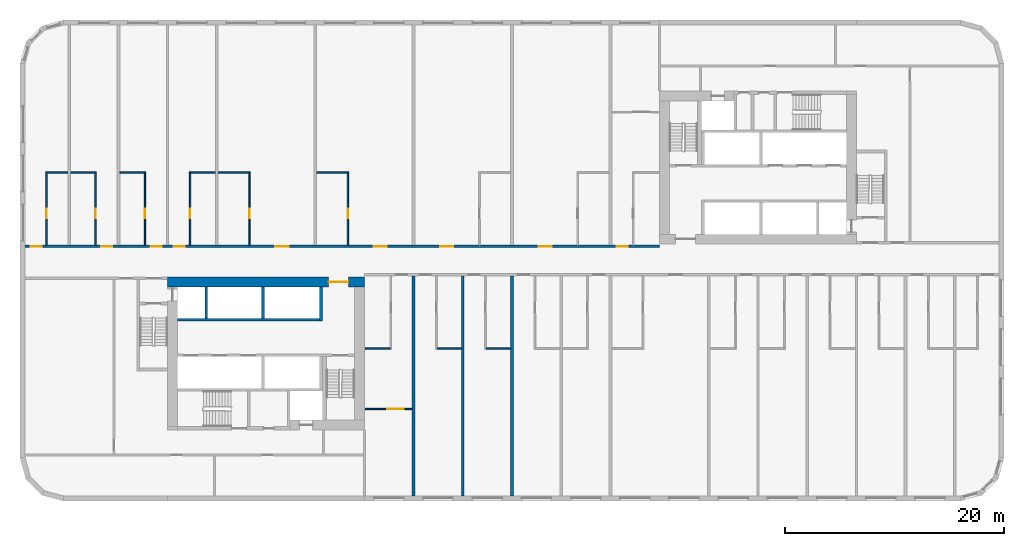
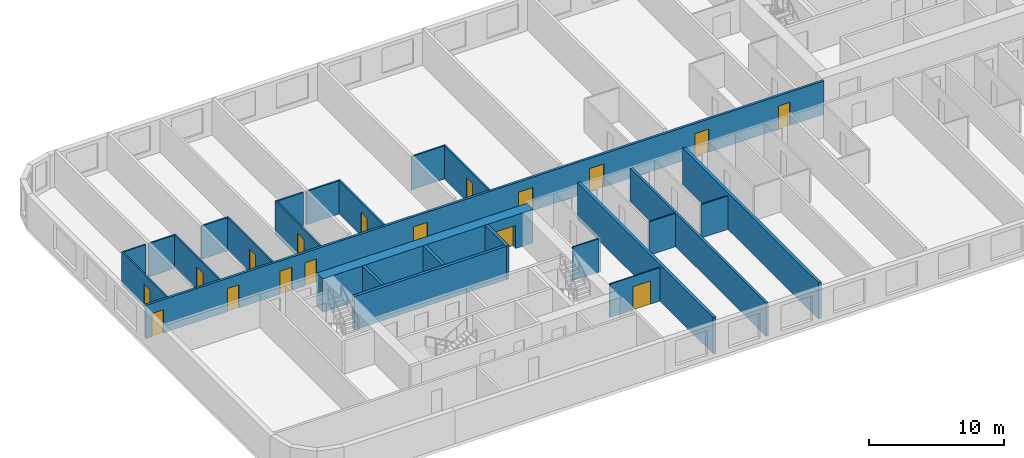
# One storey, part 3 of 12: 25 walls, 17 doors, 17 openings.
"""IFC4 building model written with IfcOpenShell, lengths in metres."""

from ifc_helpers import new_model, si_unit, direction, frame, frame_2d, origin, place, context, subcontext, project, spatial, rectangle, extrude, material, layer, layer_set, type_object, element, fill, save


model = new_model("IFC4")

# Units and contexts
model_context = context("Model", 3, precision=1e-05, world=origin(), true_north=direction((0.0, 1.0)))
body_context = subcontext(model_context, "Body", "Model", "MODEL_VIEW")
ifc_project = project(units=[si_unit("LENGTHUNIT", "METRE"), si_unit("AREAUNIT", "SQUARE_METRE"), si_unit("VOLUMEUNIT", "CUBIC_METRE"), si_unit("PLANEANGLEUNIT", "RADIAN"), si_unit("MASSUNIT", "GRAM", prefix="KILO")], contexts=[model_context])

# Site, building, storey
site_placement = place(None, origin())
site = spatial("IfcSite", under=ifc_project, at=site_placement, CompositionType="ELEMENT")
building_placement = place(site_placement, origin())
building = spatial("IfcBuilding", under=site, at=building_placement, Name="Kajstack Hotel Tower", CompositionType="ELEMENT")
storey_placement = place(building_placement, frame((0.0, 0.0, 86.39990234375)))
storey = spatial("IfcBuildingStorey", under=building, at=storey_placement, Name="L17", CompositionType="ELEMENT", Elevation=86.39990234375)

# Wall, opening, door
ifc_material_1 = material(Name="Concrete C60/75", Category="concrete")
ifc_layer_1 = layer(ifc_material_1, 0.89990234375)
ifc_layer_set_1 = layer_set([ifc_layer_1], Name="Core wall 900")
wall_type_1 = type_object("IfcWallType", Name="Core wall 900", PredefinedType="SHEAR", material=ifc_layer_set_1)
wall_1_placement = place(storey_placement, frame((-31.5, -1.949951171875, 0.0), z_axis=(0.0, 0.0, 1.0), x_axis=(1.0, 0.0, 0.0)))
wall_1 = element("IfcWall", 1, at=wall_1_placement, inside=storey, type_object=wall_type_1, Name="Core wall W RN", PredefinedType="SHEAR", context=body_context, shape_type="SweptSolid", body=[
    extrude(rectangle(XDim=18.0, YDim=0.89990234375, at=frame_2d((9.0, 0.0))), origin(), (0.0, 0.0, 1.0), 3.02001953125),
])
opening_1_placement = place(wall_1_placement, frame((14.72509765625, 0.0, 0.0)))
opening_1 = element("IfcOpeningElement", 2, at=opening_1_placement, cuts=wall_1, Name="Opening 17W06", PredefinedType="OPENING", context=body_context, shape_type="SweptSolid", body=[
    extrude(rectangle(XDim=1.800048828125, YDim=2.10009765625, at=frame_2d((0.89990234375, 1.050048828125))), frame((0.0, 0.4599609375, 0.0), z_axis=(0.0, -1.0, 0.0), x_axis=(1.0, 0.0, 0.0)), (0.0, 0.0, 1.0), 0.919921875),
])
ifc_material_2 = material(Name="Glazed steel frame, fire-rated glass", Category="steel")
door_type_1 = type_object("IfcDoorType", Name="Lobby double door 1800", OperationType="DOUBLE_DOOR_DOUBLE_SWING", PredefinedType="DOOR", material=ifc_material_2)
door_1_placement = place(opening_1_placement, origin())
door_1 = element("IfcDoor", 3, at=door_1_placement, inside=storey, type_object=door_type_1, Name="Door 17W06", OperationType="DOUBLE_DOOR_DOUBLE_SWING", OverallHeight=2.10009765625, OverallWidth=1.800048828125, PredefinedType="DOOR", context=body_context, shape_type="SweptSolid", body=[
    extrude(rectangle(XDim=1.800048828125, YDim=2.10009765625, at=frame_2d((0.89990234375, 1.050048828125))), frame((0.0, 0.02490234375, 0.0), z_axis=(0.0, -1.0, 0.0), x_axis=(1.0, 0.0, 0.0)), (0.0, 0.0, 1.0), 0.050048828125),
])
fill(opening_1, door_1)

# Wall, openings, doors
ifc_material_3 = material(Name="Gypsum board on steel studs, mineral wool", Category="steel")
ifc_layer_2 = layer(ifc_material_3, 0.199951171875)
ifc_layer_set_2 = layer_set([ifc_layer_2], Name="Corridor wall 200")
wall_type_2 = type_object("IfcWallType", Name="Corridor wall 200", PredefinedType="PARTITIONING", material=ifc_layer_set_2)
wall_2_placement = place(storey_placement, frame((-44.550048828125, 1.300048828125, 0.0), z_axis=(0.0, 0.0, 1.0), x_axis=(1.0, 0.0, 0.0)))
wall_2 = element("IfcWall", 4, at=wall_2_placement, inside=storey, type_object=wall_type_2, Name="G-wall-L17-003", PredefinedType="PARTITIONING", context=body_context, shape_type="SweptSolid", body=[
    extrude(rectangle(XDim=58.050048828125, YDim=0.199951171875, at=frame_2d((29.02490234375, 0.0))), origin(), (0.0, 0.0, 1.0), 3.02001953125),
])
opening_2_placement = place(wall_2_placement, frame((0.52490234375, 0.0, 0.0)))
opening_2 = element("IfcOpeningElement", 5, at=opening_2_placement, cuts=wall_2, Name="Opening 17001", PredefinedType="OPENING", context=body_context, shape_type="SweptSolid", body=[
    extrude(rectangle(XDim=1.0, YDim=2.10009765625, at=frame_2d((0.5, 1.050048828125))), frame((0.0, 0.10986328125, 0.0), z_axis=(0.0, -1.0, 0.0), x_axis=(1.0, 0.0, 0.0)), (0.0, 0.0, 1.0), 0.219970703125),
])
opening_3_placement = place(wall_2_placement, frame((6.97509765625, 0.0, 0.0)))
opening_3 = element("IfcOpeningElement", 6, at=opening_3_placement, cuts=wall_2, Name="Opening 17003", PredefinedType="OPENING", context=body_context, shape_type="SweptSolid", body=[
    extrude(rectangle(XDim=1.0, YDim=2.10009765625, at=frame_2d((0.5, 1.050048828125))), frame((0.0, 0.10986328125, 0.0), z_axis=(0.0, -1.0, 0.0), x_axis=(1.0, 0.0, 0.0)), (0.0, 0.0, 1.0), 0.219970703125),
])
opening_4_placement = place(wall_2_placement, frame((11.5, 0.0, 0.0)))
opening_4 = element("IfcOpeningElement", 7, at=opening_4_placement, cuts=wall_2, Name="Opening 17005", PredefinedType="OPENING", context=body_context, shape_type="SweptSolid", body=[
    extrude(rectangle(XDim=1.0, YDim=2.10009765625, at=frame_2d((0.5, 1.050048828125))), frame((0.0, 0.10986328125, 0.0), z_axis=(0.0, -1.0, 0.0), x_axis=(1.0, 0.0, 0.0)), (0.0, 0.0, 1.0), 0.219970703125),
])
opening_5_placement = place(wall_2_placement, frame((13.60009765625, 0.0, 0.0)))
opening_5 = element("IfcOpeningElement", 8, at=opening_5_placement, cuts=wall_2, Name="Opening 17007", PredefinedType="OPENING", context=body_context, shape_type="SweptSolid", body=[
    extrude(rectangle(XDim=1.0, YDim=2.10009765625, at=frame_2d((0.5, 1.050048828125))), frame((0.0, 0.10986328125, 0.0), z_axis=(0.0, -1.0, 0.0), x_axis=(1.0, 0.0, 0.0)), (0.0, 0.0, 1.0), 0.219970703125),
])
opening_6_placement = place(wall_2_placement, frame((22.912109375, 0.0, 0.0)))
opening_6 = element("IfcOpeningElement", 9, at=opening_6_placement, cuts=wall_2, Name="Opening 17009", PredefinedType="OPENING", context=body_context, shape_type="SweptSolid", body=[
    extrude(rectangle(XDim=1.199951171875, YDim=2.10009765625, at=frame_2d((0.60009765625, 1.050048828125))), frame((0.0, 0.10986328125, 0.0), z_axis=(0.0, -1.0, 0.0), x_axis=(1.0, 0.0, 0.0)), (0.0, 0.0, 1.0), 0.219970703125),
])
opening_7_placement = place(wall_2_placement, frame((31.912109375, 0.0, 0.0)))
opening_7 = element("IfcOpeningElement", 10, at=opening_7_placement, cuts=wall_2, Name="Opening 17011", PredefinedType="OPENING", context=body_context, shape_type="SweptSolid", body=[
    extrude(rectangle(XDim=1.199951171875, YDim=2.10009765625, at=frame_2d((0.60009765625, 1.050048828125))), frame((0.0, 0.10986328125, 0.0), z_axis=(0.0, -1.0, 0.0), x_axis=(1.0, 0.0, 0.0)), (0.0, 0.0, 1.0), 0.219970703125),
])
opening_8_placement = place(wall_2_placement, frame((37.987060546875, 0.0, 0.0)))
opening_8 = element("IfcOpeningElement", 11, at=opening_8_placement, cuts=wall_2, Name="Opening 17013", PredefinedType="OPENING", context=body_context, shape_type="SweptSolid", body=[
    extrude(rectangle(XDim=1.199951171875, YDim=2.10009765625, at=frame_2d((0.60009765625, 1.050048828125))), frame((0.0, 0.10986328125, 0.0), z_axis=(0.0, -1.0, 0.0), x_axis=(1.0, 0.0, 0.0)), (0.0, 0.0, 1.0), 0.219970703125),
])
opening_9_placement = place(wall_2_placement, frame((46.987060546875, 0.0, 0.0)))
opening_9 = element("IfcOpeningElement", 12, at=opening_9_placement, cuts=wall_2, Name="Opening 17015", PredefinedType="OPENING", context=body_context, shape_type="SweptSolid", body=[
    extrude(rectangle(XDim=1.199951171875, YDim=2.10009765625, at=frame_2d((0.60009765625, 1.050048828125))), frame((0.0, 0.10986328125, 0.0), z_axis=(0.0, -1.0, 0.0), x_axis=(1.0, 0.0, 0.0)), (0.0, 0.0, 1.0), 0.219970703125),
])
opening_10_placement = place(wall_2_placement, frame((54.125, 0.0, 0.0)))
opening_10 = element("IfcOpeningElement", 13, at=opening_10_placement, cuts=wall_2, Name="Opening 17017", PredefinedType="OPENING", context=body_context, shape_type="SweptSolid", body=[
    extrude(rectangle(XDim=1.0, YDim=2.10009765625, at=frame_2d((0.5, 1.050048828125))), frame((0.0, 0.10986328125, 0.0), z_axis=(0.0, -1.0, 0.0), x_axis=(1.0, 0.0, 0.0)), (0.0, 0.0, 1.0), 0.219970703125),
])
ifc_material_4 = material(Name="Oak veneer on timber core, fire-rated leaf", Category="wood")
door_type_2 = type_object("IfcDoorType", Name="Flat entrance door 1000", OperationType="SINGLE_SWING_LEFT", PredefinedType="DOOR", material=ifc_material_4)
door_2_placement = place(opening_2_placement, origin())
door_2 = element("IfcDoor", 14, at=door_2_placement, inside=storey, type_object=door_type_2, Name="G-door-L17-01", OperationType="SINGLE_SWING_RIGHT", OverallHeight=2.10009765625, OverallWidth=1.0, PredefinedType="DOOR", context=body_context, shape_type="SweptSolid", body=[
    extrude(rectangle(XDim=1.0, YDim=2.10009765625, at=frame_2d((0.5, 1.050048828125))), frame((0.0, 0.02490234375, 0.0), z_axis=(0.0, -1.0, 0.0), x_axis=(1.0, 0.0, 0.0)), (0.0, 0.0, 1.0), 0.050048828125),
])
fill(opening_2, door_2)
door_3_placement = place(opening_3_placement, origin())
door_3 = element("IfcDoor", 15, at=door_3_placement, inside=storey, type_object=door_type_2, Name="G-door-L17-03", OperationType="SINGLE_SWING_RIGHT", OverallHeight=2.10009765625, OverallWidth=1.0, PredefinedType="DOOR", context=body_context, shape_type="SweptSolid", body=[
    extrude(rectangle(XDim=1.0, YDim=2.10009765625, at=frame_2d((0.5, 1.050048828125))), frame((0.0, 0.02490234375, 0.0), z_axis=(0.0, -1.0, 0.0), x_axis=(1.0, 0.0, 0.0)), (0.0, 0.0, 1.0), 0.050048828125),
])
fill(opening_3, door_3)
door_4_placement = place(opening_4_placement, origin())
door_4 = element("IfcDoor", 16, at=door_4_placement, inside=storey, type_object=door_type_2, Name="G-door-L17-05", OperationType="SINGLE_SWING_LEFT", OverallHeight=2.10009765625, OverallWidth=1.0, PredefinedType="DOOR", context=body_context, shape_type="SweptSolid", body=[
    extrude(rectangle(XDim=1.0, YDim=2.10009765625, at=frame_2d((0.5, 1.050048828125))), frame((0.0, 0.02490234375, 0.0), z_axis=(0.0, -1.0, 0.0), x_axis=(1.0, 0.0, 0.0)), (0.0, 0.0, 1.0), 0.050048828125),
])
fill(opening_4, door_4)
door_5_placement = place(opening_5_placement, origin())
door_5 = element("IfcDoor", 17, at=door_5_placement, inside=storey, type_object=door_type_2, Name="G-door-L17-07", OperationType="SINGLE_SWING_RIGHT", OverallHeight=2.10009765625, OverallWidth=1.0, PredefinedType="DOOR", context=body_context, shape_type="SweptSolid", body=[
    extrude(rectangle(XDim=1.0, YDim=2.10009765625, at=frame_2d((0.5, 1.050048828125))), frame((0.0, 0.02490234375, 0.0), z_axis=(0.0, -1.0, 0.0), x_axis=(1.0, 0.0, 0.0)), (0.0, 0.0, 1.0), 0.050048828125),
])
fill(opening_5, door_5)
door_6_placement = place(opening_10_placement, origin())
door_6 = element("IfcDoor", 18, at=door_6_placement, inside=storey, type_object=door_type_2, Name="G-door-L17-17", OperationType="SINGLE_SWING_RIGHT", OverallHeight=2.10009765625, OverallWidth=1.0, PredefinedType="DOOR", context=body_context, shape_type="SweptSolid", body=[
    extrude(rectangle(XDim=1.0, YDim=2.10009765625, at=frame_2d((0.5, 1.050048828125))), frame((0.0, 0.02490234375, 0.0), z_axis=(0.0, -1.0, 0.0), x_axis=(1.0, 0.0, 0.0)), (0.0, 0.0, 1.0), 0.050048828125),
])
fill(opening_10, door_6)
door_type_3 = type_object("IfcDoorType", Name="Flat entrance door 1200", OperationType="SINGLE_SWING_LEFT", PredefinedType="DOOR", material=ifc_material_4)
door_7_placement = place(opening_6_placement, origin())
door_7 = element("IfcDoor", 19, at=door_7_placement, inside=storey, type_object=door_type_3, Name="G-door-L17-09", OperationType="SINGLE_SWING_RIGHT", OverallHeight=2.10009765625, OverallWidth=1.199951171875, PredefinedType="DOOR", context=body_context, shape_type="SweptSolid", body=[
    extrude(rectangle(XDim=1.199951171875, YDim=2.10009765625, at=frame_2d((0.60009765625, 1.050048828125))), frame((0.0, 0.02490234375, 0.0), z_axis=(0.0, -1.0, 0.0), x_axis=(1.0, 0.0, 0.0)), (0.0, 0.0, 1.0), 0.050048828125),
])
fill(opening_6, door_7)
door_8_placement = place(opening_7_placement, origin())
door_8 = element("IfcDoor", 20, at=door_8_placement, inside=storey, type_object=door_type_3, Name="G-door-L17-11", OperationType="SINGLE_SWING_RIGHT", OverallHeight=2.10009765625, OverallWidth=1.199951171875, PredefinedType="DOOR", context=body_context, shape_type="SweptSolid", body=[
    extrude(rectangle(XDim=1.199951171875, YDim=2.10009765625, at=frame_2d((0.60009765625, 1.050048828125))), frame((0.0, 0.02490234375, 0.0), z_axis=(0.0, -1.0, 0.0), x_axis=(1.0, 0.0, 0.0)), (0.0, 0.0, 1.0), 0.050048828125),
])
fill(opening_7, door_8)
door_9_placement = place(opening_8_placement, origin())
door_9 = element("IfcDoor", 21, at=door_9_placement, inside=storey, type_object=door_type_3, Name="G-door-L17-13", OperationType="SINGLE_SWING_RIGHT", OverallHeight=2.10009765625, OverallWidth=1.199951171875, PredefinedType="DOOR", context=body_context, shape_type="SweptSolid", body=[
    extrude(rectangle(XDim=1.199951171875, YDim=2.10009765625, at=frame_2d((0.60009765625, 1.050048828125))), frame((0.0, 0.02490234375, 0.0), z_axis=(0.0, -1.0, 0.0), x_axis=(1.0, 0.0, 0.0)), (0.0, 0.0, 1.0), 0.050048828125),
])
fill(opening_8, door_9)
door_10_placement = place(opening_9_placement, origin())
door_10 = element("IfcDoor", 22, at=door_10_placement, inside=storey, type_object=door_type_3, Name="G-door-L17-15", OperationType="SINGLE_SWING_RIGHT", OverallHeight=2.10009765625, OverallWidth=1.199951171875, PredefinedType="DOOR", context=body_context, shape_type="SweptSolid", body=[
    extrude(rectangle(XDim=1.199951171875, YDim=2.10009765625, at=frame_2d((0.60009765625, 1.050048828125))), frame((0.0, 0.02490234375, 0.0), z_axis=(0.0, -1.0, 0.0), x_axis=(1.0, 0.0, 0.0)), (0.0, 0.0, 1.0), 0.050048828125),
])
fill(opening_9, door_10)

# Wall
ifc_material_5 = material(Name="Twin-frame gypsum board on steel studs, mineral wool", Category="steel")
ifc_layer_3 = layer(ifc_material_5, 0.199951171875)
ifc_layer_set_3 = layer_set([ifc_layer_3], Name="Demising wall 200")
wall_type_3 = type_object("IfcWallType", Name="Demising wall 200", PredefinedType="PARTITIONING", material=ifc_layer_set_3)
wall_3_placement = place(storey_placement, frame((-4.5, -21.550048828125, 0.0), z_axis=(0.0, 0.0, 1.0), x_axis=(0.0, 1.0, 0.0)))
element("IfcWall", 23, at=wall_3_placement, inside=storey, type_object=wall_type_3, Name="G-wall-L17-028", PredefinedType="PARTITIONING", context=body_context, shape_type="SweptSolid", body=[
    extrude(rectangle(XDim=20.150146484375, YDim=0.199951171875, at=frame_2d((10.0751953125, 0.0))), origin(), (0.0, 0.0, 1.0), 3.02001953125),
])

# Wall, opening, door
ifc_material_6 = material(Name="Gypsum board and tiled backer on steel studs", Category="steel")
ifc_layer_4 = layer(ifc_material_6, 0.125)
ifc_layer_set_4 = layer_set([ifc_layer_4], Name="En-suite wall 125")
wall_type_4 = type_object("IfcWallType", Name="En-suite wall 125", PredefinedType="PARTITIONING", material=ifc_layer_set_4)
wall_4_placement = place(storey_placement, frame((-42.5869140625, 1.39990234375, 0.0), z_axis=(0.0, 0.0, 1.0), x_axis=(0.0, 1.0, 0.0)))
wall_4 = element("IfcWall", 24, at=wall_4_placement, inside=storey, type_object=wall_type_4, Name="G-wall-L17-004", PredefinedType="PARTITIONING", context=body_context, shape_type="SweptSolid", body=[
    extrude(rectangle(XDim=6.72509765625, YDim=0.125, at=frame_2d((3.362548828125, 0.0))), origin(), (0.0, 0.0, 1.0), 3.02001953125),
])
opening_11_placement = place(wall_4_placement, frame((2.449951171875, 0.0, 0.0)))
opening_11 = element("IfcOpeningElement", 25, at=opening_11_placement, cuts=wall_4, Name="Opening 17002", PredefinedType="OPENING", context=body_context, shape_type="SweptSolid", body=[
    extrude(rectangle(XDim=0.89990234375, YDim=2.10009765625, at=frame_2d((0.449951171875, 1.050048828125))), frame((0.0, 0.072509765625, 0.0), z_axis=(0.0, -1.0, 0.0), x_axis=(1.0, 0.0, 0.0)), (0.0, 0.0, 1.0), 0.14501953125),
])
ifc_material_7 = material(Name="Painted timber door leaf", Category="wood")
door_type_4 = type_object("IfcDoorType", Name="Room door 900", OperationType="SINGLE_SWING_LEFT", PredefinedType="DOOR", material=ifc_material_7)
door_11_placement = place(opening_11_placement, origin())
door_11 = element("IfcDoor", 26, at=door_11_placement, inside=storey, type_object=door_type_4, Name="G-door-L17-02", OperationType="SINGLE_SWING_LEFT", OverallHeight=2.10009765625, OverallWidth=0.89990234375, PredefinedType="DOOR", context=body_context, shape_type="SweptSolid", body=[
    extrude(rectangle(XDim=0.89990234375, YDim=2.10009765625, at=frame_2d((0.449951171875, 1.050048828125))), frame((0.0, 0.02490234375, 0.0), z_axis=(0.0, -1.0, 0.0), x_axis=(1.0, 0.0, 0.0)), (0.0, 0.0, 1.0), 0.050048828125),
])
fill(opening_11, door_11)

# Wall
wall_5_placement = place(storey_placement, frame((-42.52490234375, 8.06201171875, 0.0), z_axis=(0.0, 0.0, 1.0), x_axis=(1.0, 0.0, 0.0)))
element("IfcWall", 27, at=wall_5_placement, inside=storey, type_object=wall_type_4, Name="G-wall-L17-005", PredefinedType="PARTITIONING", context=body_context, shape_type="SweptSolid", body=[
    extrude(rectangle(XDim=1.89990234375, YDim=0.125, at=frame_2d((0.949951171875, 0.0))), origin(), (0.0, 0.0, 1.0), 3.02001953125),
])

# Wall, opening, door
wall_6_placement = place(storey_placement, frame((-38.0869140625, 1.39990234375, 0.0), z_axis=(0.0, 0.0, 1.0), x_axis=(0.0, 1.0, 0.0)))
wall_6 = element("IfcWall", 28, at=wall_6_placement, inside=storey, type_object=wall_type_4, Name="G-wall-L17-006", PredefinedType="PARTITIONING", context=body_context, shape_type="SweptSolid", body=[
    extrude(rectangle(XDim=6.72509765625, YDim=0.125, at=frame_2d((3.362548828125, 0.0))), origin(), (0.0, 0.0, 1.0), 3.02001953125),
])
opening_12_placement = place(wall_6_placement, frame((2.449951171875, 0.0, 0.0)))
opening_12 = element("IfcOpeningElement", 29, at=opening_12_placement, cuts=wall_6, Name="Opening 17004", PredefinedType="OPENING", context=body_context, shape_type="SweptSolid", body=[
    extrude(rectangle(XDim=0.89990234375, YDim=2.10009765625, at=frame_2d((0.449951171875, 1.050048828125))), frame((0.0, 0.072509765625, 0.0), z_axis=(0.0, -1.0, 0.0), x_axis=(1.0, 0.0, 0.0)), (0.0, 0.0, 1.0), 0.14501953125),
])
door_12_placement = place(opening_12_placement, origin())
door_12 = element("IfcDoor", 30, at=door_12_placement, inside=storey, type_object=door_type_4, Name="G-door-L17-04", OperationType="SINGLE_SWING_RIGHT", OverallHeight=2.10009765625, OverallWidth=0.89990234375, PredefinedType="DOOR", context=body_context, shape_type="SweptSolid", body=[
    extrude(rectangle(XDim=0.89990234375, YDim=2.10009765625, at=frame_2d((0.449951171875, 1.050048828125))), frame((0.0, 0.02490234375, 0.0), z_axis=(0.0, -1.0, 0.0), x_axis=(1.0, 0.0, 0.0)), (0.0, 0.0, 1.0), 0.050048828125),
])
fill(opening_12, door_12)

# Wall
wall_7_placement = place(storey_placement, frame((-40.375, 8.06201171875, 0.0), z_axis=(0.0, 0.0, 1.0), x_axis=(1.0, 0.0, 0.0)))
element("IfcWall", 31, at=wall_7_placement, inside=storey, type_object=wall_type_4, Name="G-wall-L17-007", PredefinedType="PARTITIONING", context=body_context, shape_type="SweptSolid", body=[
    extrude(rectangle(XDim=2.22509765625, YDim=0.125, at=frame_2d((1.112548828125, 0.0))), origin(), (0.0, 0.0, 1.0), 3.02001953125),
])

# Wall, opening, door
wall_8_placement = place(storey_placement, frame((-33.56201171875, 1.39990234375, 0.0), z_axis=(0.0, 0.0, 1.0), x_axis=(0.0, 1.0, 0.0)))
wall_8 = element("IfcWall", 32, at=wall_8_placement, inside=storey, type_object=wall_type_4, Name="G-wall-L17-009", PredefinedType="PARTITIONING", context=body_context, shape_type="SweptSolid", body=[
    extrude(rectangle(XDim=6.72509765625, YDim=0.125, at=frame_2d((3.362548828125, 0.0))), origin(), (0.0, 0.0, 1.0), 3.02001953125),
])
opening_13_placement = place(wall_8_placement, frame((2.449951171875, 0.0, 0.0)))
opening_13 = element("IfcOpeningElement", 33, at=opening_13_placement, cuts=wall_8, Name="Opening 17006", PredefinedType="OPENING", context=body_context, shape_type="SweptSolid", body=[
    extrude(rectangle(XDim=0.89990234375, YDim=2.10009765625, at=frame_2d((0.449951171875, 1.050048828125))), frame((0.0, 0.072509765625, 0.0), z_axis=(0.0, -1.0, 0.0), x_axis=(1.0, 0.0, 0.0)), (0.0, 0.0, 1.0), 0.14501953125),
])
door_13_placement = place(opening_13_placement, origin())
door_13 = element("IfcDoor", 34, at=door_13_placement, inside=storey, type_object=door_type_4, Name="G-door-L17-06", OperationType="SINGLE_SWING_LEFT", OverallHeight=2.10009765625, OverallWidth=0.89990234375, PredefinedType="DOOR", context=body_context, shape_type="SweptSolid", body=[
    extrude(rectangle(XDim=0.89990234375, YDim=2.10009765625, at=frame_2d((0.449951171875, 1.050048828125))), frame((0.0, 0.02490234375, 0.0), z_axis=(0.0, -1.0, 0.0), x_axis=(1.0, 0.0, 0.0)), (0.0, 0.0, 1.0), 0.050048828125),
])
fill(opening_13, door_13)

# Wall
wall_9_placement = place(storey_placement, frame((-35.875, 8.06201171875, 0.0), z_axis=(0.0, 0.0, 1.0), x_axis=(1.0, 0.0, 0.0)))
element("IfcWall", 35, at=wall_9_placement, inside=storey, type_object=wall_type_4, Name="G-wall-L17-010", PredefinedType="PARTITIONING", context=body_context, shape_type="SweptSolid", body=[
    extrude(rectangle(XDim=2.25, YDim=0.125, at=frame_2d((1.125, 0.0))), origin(), (0.0, 0.0, 1.0), 3.02001953125),
])

# Wall, opening, door
wall_10_placement = place(storey_placement, frame((-29.43798828125, 1.39990234375, 0.0), z_axis=(0.0, 0.0, 1.0), x_axis=(0.0, 1.0, 0.0)))
wall_10 = element("IfcWall", 36, at=wall_10_placement, inside=storey, type_object=wall_type_4, Name="G-wall-L17-011", PredefinedType="PARTITIONING", context=body_context, shape_type="SweptSolid", body=[
    extrude(rectangle(XDim=6.72509765625, YDim=0.125, at=frame_2d((3.362548828125, 0.0))), origin(), (0.0, 0.0, 1.0), 3.02001953125),
])
opening_14_placement = place(wall_10_placement, frame((2.449951171875, 0.0, 0.0)))
opening_14 = element("IfcOpeningElement", 37, at=opening_14_placement, cuts=wall_10, Name="Opening 17008", PredefinedType="OPENING", context=body_context, shape_type="SweptSolid", body=[
    extrude(rectangle(XDim=0.89990234375, YDim=2.10009765625, at=frame_2d((0.449951171875, 1.050048828125))), frame((0.0, 0.072509765625, 0.0), z_axis=(0.0, -1.0, 0.0), x_axis=(1.0, 0.0, 0.0)), (0.0, 0.0, 1.0), 0.14501953125),
])
door_14_placement = place(opening_14_placement, origin())
door_14 = element("IfcDoor", 38, at=door_14_placement, inside=storey, type_object=door_type_4, Name="G-door-L17-08", OperationType="SINGLE_SWING_RIGHT", OverallHeight=2.10009765625, OverallWidth=0.89990234375, PredefinedType="DOOR", context=body_context, shape_type="SweptSolid", body=[
    extrude(rectangle(XDim=0.89990234375, YDim=2.10009765625, at=frame_2d((0.449951171875, 1.050048828125))), frame((0.0, 0.02490234375, 0.0), z_axis=(0.0, -1.0, 0.0), x_axis=(1.0, 0.0, 0.0)), (0.0, 0.0, 1.0), 0.050048828125),
])
fill(opening_14, door_14)

# Wall
wall_11_placement = place(storey_placement, frame((-29.375, 8.06201171875, 0.0), z_axis=(0.0, 0.0, 1.0), x_axis=(1.0, 0.0, 0.0)))
element("IfcWall", 39, at=wall_11_placement, inside=storey, type_object=wall_type_4, Name="G-wall-L17-012", PredefinedType="PARTITIONING", context=body_context, shape_type="SweptSolid", body=[
    extrude(rectangle(XDim=2.25, YDim=0.125, at=frame_2d((1.125, 0.0))), origin(), (0.0, 0.0, 1.0), 3.02001953125),
])

# Wall, opening, door
wall_12_placement = place(storey_placement, frame((-24.011962890625, 1.39990234375, 0.0), z_axis=(0.0, 0.0, 1.0), x_axis=(0.0, 1.0, 0.0)))
wall_12 = element("IfcWall", 40, at=wall_12_placement, inside=storey, type_object=wall_type_4, Name="G-wall-L17-013", PredefinedType="PARTITIONING", context=body_context, shape_type="SweptSolid", body=[
    extrude(rectangle(XDim=6.72509765625, YDim=0.125, at=frame_2d((3.362548828125, 0.0))), origin(), (0.0, 0.0, 1.0), 3.02001953125),
])
opening_15_placement = place(wall_12_placement, frame((2.449951171875, 0.0, 0.0)))
opening_15 = element("IfcOpeningElement", 41, at=opening_15_placement, cuts=wall_12, Name="Opening 17010", PredefinedType="OPENING", context=body_context, shape_type="SweptSolid", body=[
    extrude(rectangle(XDim=0.89990234375, YDim=2.10009765625, at=frame_2d((0.449951171875, 1.050048828125))), frame((0.0, 0.072509765625, 0.0), z_axis=(0.0, -1.0, 0.0), x_axis=(1.0, 0.0, 0.0)), (0.0, 0.0, 1.0), 0.14501953125),
])
door_15_placement = place(opening_15_placement, origin())
door_15 = element("IfcDoor", 42, at=door_15_placement, inside=storey, type_object=door_type_4, Name="G-door-L17-10", OperationType="SINGLE_SWING_RIGHT", OverallHeight=2.10009765625, OverallWidth=0.89990234375, PredefinedType="DOOR", context=body_context, shape_type="SweptSolid", body=[
    extrude(rectangle(XDim=0.89990234375, YDim=2.10009765625, at=frame_2d((0.449951171875, 1.050048828125))), frame((0.0, 0.02490234375, 0.0), z_axis=(0.0, -1.0, 0.0), x_axis=(1.0, 0.0, 0.0)), (0.0, 0.0, 1.0), 0.050048828125),
])
fill(opening_15, door_15)

# Wall
wall_13_placement = place(storey_placement, frame((-26.875, 8.06201171875, 0.0), z_axis=(0.0, 0.0, 1.0), x_axis=(1.0, 0.0, 0.0)))
element("IfcWall", 43, at=wall_13_placement, inside=storey, type_object=wall_type_4, Name="G-wall-L17-014", PredefinedType="PARTITIONING", context=body_context, shape_type="SweptSolid", body=[
    extrude(rectangle(XDim=2.800048828125, YDim=0.125, at=frame_2d((1.39990234375, 0.0))), origin(), (0.0, 0.0, 1.0), 3.02001953125),
])

# Wall, opening, door
wall_14_placement = place(storey_placement, frame((-15.011962890625, 1.39990234375, 0.0), z_axis=(0.0, 0.0, 1.0), x_axis=(0.0, 1.0, 0.0)))
wall_14 = element("IfcWall", 44, at=wall_14_placement, inside=storey, type_object=wall_type_4, Name="G-wall-L17-015", PredefinedType="PARTITIONING", context=body_context, shape_type="SweptSolid", body=[
    extrude(rectangle(XDim=6.72509765625, YDim=0.125, at=frame_2d((3.362548828125, 0.0))), origin(), (0.0, 0.0, 1.0), 3.02001953125),
])
opening_16_placement = place(wall_14_placement, frame((2.449951171875, 0.0, 0.0)))
opening_16 = element("IfcOpeningElement", 45, at=opening_16_placement, cuts=wall_14, Name="Opening 17012", PredefinedType="OPENING", context=body_context, shape_type="SweptSolid", body=[
    extrude(rectangle(XDim=0.89990234375, YDim=2.10009765625, at=frame_2d((0.449951171875, 1.050048828125))), frame((0.0, 0.072509765625, 0.0), z_axis=(0.0, -1.0, 0.0), x_axis=(1.0, 0.0, 0.0)), (0.0, 0.0, 1.0), 0.14501953125),
])
door_16_placement = place(opening_16_placement, origin())
door_16 = element("IfcDoor", 46, at=door_16_placement, inside=storey, type_object=door_type_4, Name="G-door-L17-12", OperationType="SINGLE_SWING_LEFT", OverallHeight=2.10009765625, OverallWidth=0.89990234375, PredefinedType="DOOR", context=body_context, shape_type="SweptSolid", body=[
    extrude(rectangle(XDim=0.89990234375, YDim=2.10009765625, at=frame_2d((0.449951171875, 1.050048828125))), frame((0.0, 0.02490234375, 0.0), z_axis=(0.0, -1.0, 0.0), x_axis=(1.0, 0.0, 0.0)), (0.0, 0.0, 1.0), 0.050048828125),
])
fill(opening_16, door_16)

# Walls
wall_15_placement = place(storey_placement, frame((-17.875, 8.06201171875, 0.0), z_axis=(0.0, 0.0, 1.0), x_axis=(1.0, 0.0, 0.0)))
element("IfcWall", 47, at=wall_15_placement, inside=storey, type_object=wall_type_4, Name="G-wall-L17-016", PredefinedType="PARTITIONING", context=body_context, shape_type="SweptSolid", body=[
    extrude(rectangle(XDim=2.800048828125, YDim=0.125, at=frame_2d((1.39990234375, 0.0))), origin(), (0.0, 0.0, 1.0), 3.02001953125),
])
for number, where, z_axis, x_axis, name in (
    (48, (-13.39990234375, -8.06201171875, 0.0), (0.0, 0.0, 1.0), (1.0, 0.0, 0.0), "G-wall-L17-026"),
    (49, (-6.85009765625, -8.06201171875, 0.0), (0.0, 0.0, 1.0), (1.0, 0.0, 0.0), "G-wall-L17-030"),
    (50, (-2.375, -8.06201171875, 0.0), (0.0, 0.0, 1.0), (1.0, 0.0, 0.0), "G-wall-L17-032"),
):
    element("IfcWall", number, at=place(storey_placement, frame(where, z_axis=z_axis, x_axis=x_axis)), inside=storey, type_object=wall_type_4, Name=name, PredefinedType="PARTITIONING", context=body_context, shape_type="SweptSolid", body=[
        extrude(rectangle(XDim=2.25, YDim=0.125, at=frame_2d((1.125, 0.0))), origin(), (0.0, 0.0, 1.0), 3.02001953125),
    ])
ifc_material_8 = material(Name="Concrete C50/60", Category="concrete")
ifc_layer_5 = layer(ifc_material_8, 0.300048828125)
ifc_layer_set_5 = layer_set([ifc_layer_5], Name="Hoistway divider wall 300")
wall_type_5 = type_object("IfcWallType", Name="Hoistway divider wall 300", PredefinedType="SHEAR", material=ifc_layer_set_5)
wall_16_placement = place(storey_placement, frame((-22.77490234375, -5.300048828125, 0.0), z_axis=(0.0, 0.0, 1.0), x_axis=(0.0, 1.0, 0.0)))
element("IfcWall", 51, at=wall_16_placement, inside=storey, type_object=wall_type_5, Name="Core wall W AP2", PredefinedType="SHEAR", context=body_context, shape_type="SweptSolid", body=[
    extrude(rectangle(XDim=2.900146484375, YDim=0.25, at=frame_2d((1.4501953125, 0.0))), origin(), (0.0, 0.0, 1.0), 3.02001953125),
])

# Wall, opening, door
ifc_material_9 = material(Name="Gypsum board on steel studs", Category="steel")
ifc_layer_6 = layer(ifc_material_9, 0.10009765625)
ifc_layer_set_6 = layer_set([ifc_layer_6], Name="Partition 100")
wall_type_6 = type_object("IfcWallType", Name="Partition 100", PredefinedType="PARTITIONING", material=ifc_layer_set_6)
wall_17_placement = place(storey_placement, frame((-13.39990234375, -13.574951171875, 0.0), z_axis=(0.0, 0.0, 1.0), x_axis=(1.0, 0.0, 0.0)))
wall_17 = element("IfcWall", 52, at=wall_17_placement, inside=storey, type_object=wall_type_6, Name="G-wall-L17-027", PredefinedType="PARTITIONING", context=body_context, shape_type="SweptSolid", body=[
    extrude(rectangle(XDim=4.27490234375, YDim=0.10009765625, at=frame_2d((2.137451171875, 0.0))), origin(), (0.0, 0.0, 1.0), 3.02001953125),
])
opening_17_placement = place(wall_17_placement, frame((1.988037109375, 0.0, 0.0)))
opening_17 = element("IfcOpeningElement", 53, at=opening_17_placement, cuts=wall_17, Name="Opening 17022", PredefinedType="OPENING", context=body_context, shape_type="SweptSolid", body=[
    extrude(rectangle(XDim=1.5, YDim=2.10009765625, at=frame_2d((0.75, 1.050048828125))), frame((0.0, 0.06005859375, 0.0), z_axis=(0.0, -1.0, 0.0), x_axis=(1.0, 0.0, 0.0)), (0.0, 0.0, 1.0), 0.1201171875),
])
ifc_material_10 = material(Name="Painted timber door leaves, glazed panels", Category="wood")
door_type_5 = type_object("IfcDoorType", Name="Double door 1500", OperationType="SINGLE_SWING_LEFT", PredefinedType="DOOR", material=ifc_material_10)
door_17_placement = place(opening_17_placement, origin())
door_17 = element("IfcDoor", 54, at=door_17_placement, inside=storey, type_object=door_type_5, Name="G-door-L17-22", OperationType="SINGLE_SWING_LEFT", OverallHeight=2.10009765625, OverallWidth=1.5, PredefinedType="DOOR", context=body_context, shape_type="SweptSolid", body=[
    extrude(rectangle(XDim=1.5, YDim=2.10009765625, at=frame_2d((0.75, 1.050048828125))), frame((0.0, 0.02490234375, 0.0), z_axis=(0.0, -1.0, 0.0), x_axis=(1.0, 0.0, 0.0)), (0.0, 0.0, 1.0), 0.050048828125),
])
fill(opening_17, door_17)

# Walls
ifc_layer_7 = layer(ifc_material_1, 0.25)
ifc_layer_set_7 = layer_set([ifc_layer_7], Name="RC cross wall 250 C60/75")
wall_type_7 = type_object("IfcWallType", Name="RC cross wall 250 C60/75", PredefinedType="SHEAR", material=ifc_layer_set_7)
for number, where, z_axis, x_axis, name in (
    (55, (-9.0, -21.5400390625, 0.0), (0.0, 0.0, 1.0), (0.0, 1.0, 0.0), "S-wall-L17-05"),
    (56, (0.0, -21.5400390625, 0.0), (0.0, 0.0, 1.0), (0.0, 1.0, 0.0), "S-wall-L17-07"),
):
    element("IfcWall", number, at=place(storey_placement, frame(where, z_axis=z_axis, x_axis=x_axis)), inside=storey, type_object=wall_type_7, Name=name, PredefinedType="SHEAR", context=body_context, shape_type="SweptSolid", body=[
        extrude(rectangle(XDim=20.14013671875, YDim=0.25, at=frame_2d((10.070068359375, 0.0))), origin(), (0.0, 0.0, 1.0), 3.300048828125),
    ])
ifc_layer_8 = layer(ifc_material_8, 0.25)
ifc_layer_set_8 = layer_set([ifc_layer_8], Name="Shaft wall 250")
wall_type_8 = type_object("IfcWallType", Name="Shaft wall 250", PredefinedType="SHEAR", material=ifc_layer_set_8)
wall_18_placement = place(storey_placement, frame((-30.60009765625, -5.425048828125, 0.0), z_axis=(0.0, 0.0, 1.0), x_axis=(1.0, 0.0, 0.0)))
element("IfcWall", 57, at=wall_18_placement, inside=storey, type_object=wall_type_8, Name="Core wall W FA", PredefinedType="SHEAR", context=body_context, shape_type="SweptSolid", body=[
    extrude(rectangle(XDim=13.0, YDim=0.25, at=frame_2d((6.5, 0.0))), origin(), (0.0, 0.0, 1.0), 3.02001953125),
])
wall_19_placement = place(storey_placement, frame((-17.47509765625, -5.550048828125, 0.0), z_axis=(0.0, 0.0, 1.0), x_axis=(0.0, 1.0, 0.0)))
element("IfcWall", 58, at=wall_19_placement, inside=storey, type_object=wall_type_8, Name="Core wall W AE", PredefinedType="SHEAR", context=body_context, shape_type="SweptSolid", body=[
    extrude(rectangle(XDim=3.150146484375, YDim=0.25, at=frame_2d((1.5751953125, 0.0))), origin(), (0.0, 0.0, 1.0), 3.02001953125),
])
wall_20_placement = place(storey_placement, frame((-27.97509765625, -5.300048828125, 0.0), z_axis=(0.0, 0.0, 1.0), x_axis=(0.0, 1.0, 0.0)))
element("IfcWall", 59, at=wall_20_placement, inside=storey, type_object=wall_type_8, Name="Core wall W AP0", PredefinedType="SHEAR", context=body_context, shape_type="SweptSolid", body=[
    extrude(rectangle(XDim=2.900146484375, YDim=0.25, at=frame_2d((1.4501953125, 0.0))), origin(), (0.0, 0.0, 1.0), 3.02001953125),
])

save(model, "model.ifc")
